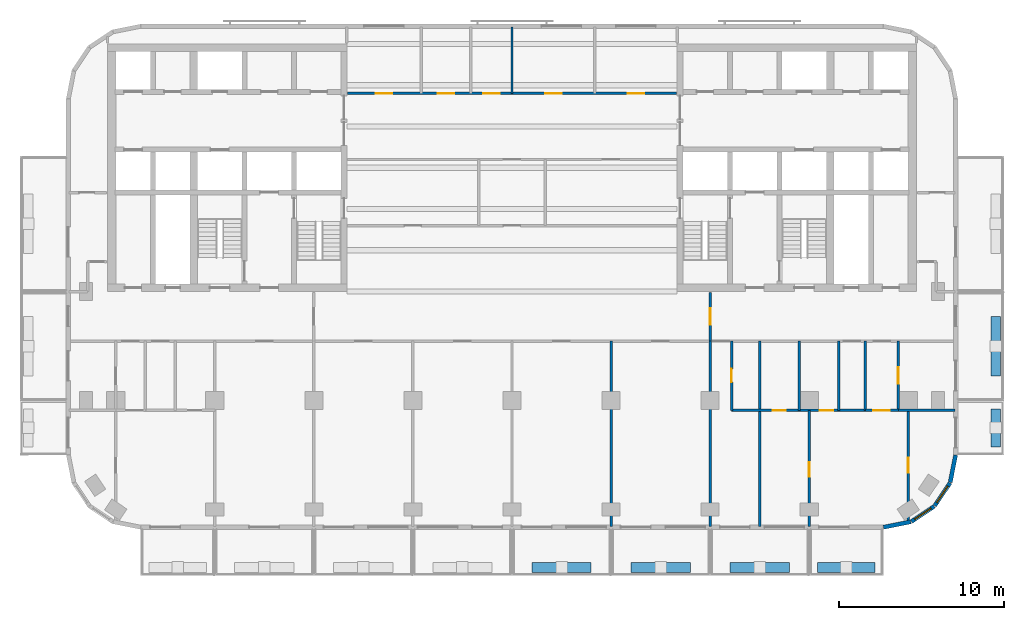
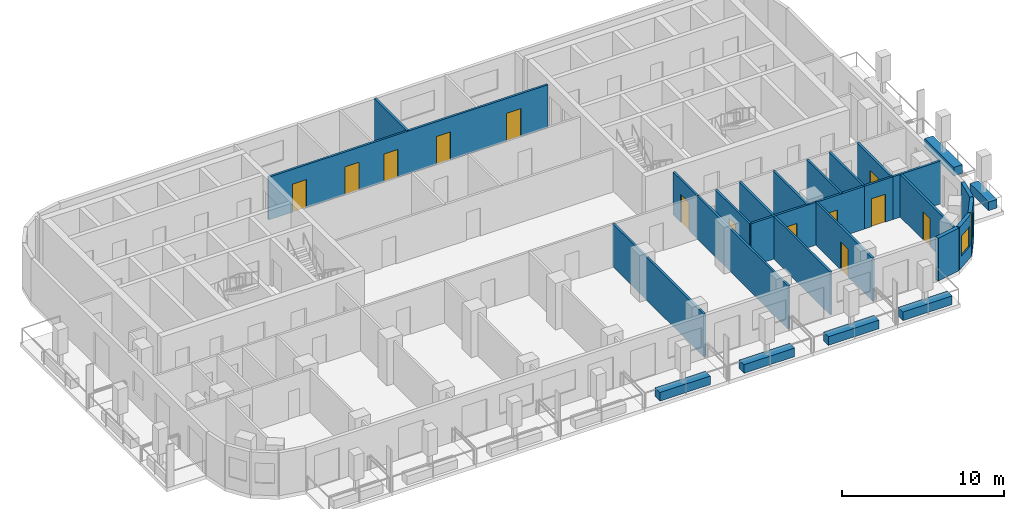
# One storey, part 5 of 11: 26 walls, 13 doors, 2 windows, 15 openings.
"""IFC4 building model written with IfcOpenShell, lengths in metres."""

from ifc_helpers import new_model, si_unit, direction, frame, frame_2d, origin, place, context, subcontext, project, spatial, rectangle, extrude, material, layer, layer_set, type_object, element, fill, save


model = new_model("IFC4")

# Units and contexts
model_context = context("Model", 3, precision=1e-05, world=origin(), true_north=direction((0.0, 1.0)))
body_context = subcontext(model_context, "Body", "Model", "MODEL_VIEW")
ifc_project = project(units=[si_unit("LENGTHUNIT", "METRE"), si_unit("AREAUNIT", "SQUARE_METRE"), si_unit("VOLUMEUNIT", "CUBIC_METRE"), si_unit("PLANEANGLEUNIT", "RADIAN"), si_unit("MASSUNIT", "GRAM", prefix="KILO")], contexts=[model_context])

# Site, building, storey
site_placement = place(None, origin())
site = spatial("IfcSite", under=ifc_project, at=site_placement, CompositionType="ELEMENT")
building_placement = place(site_placement, origin())
building = spatial("IfcBuilding", under=site, at=building_placement, Name="Torana Hotel and Residences", CompositionType="ELEMENT")
storey_placement = place(building_placement, frame((0.0, 0.0, 194.10009765625)))
storey = spatial("IfcBuildingStorey", under=building, at=storey_placement, Name="L50", CompositionType="ELEMENT", Elevation=194.10009765625)

# Wall
ifc_material_1 = material(Name="Black aluminium composite panel", Category="aluminium")
ifc_layer_1 = layer(ifc_material_1, 0.00390625, Name="Cladding", Category="cladding")
ifc_material_2 = material(Name="Ventilated air cavity")
ifc_layer_2 = layer(ifc_material_2, 0.0400390625, Name="Ventilated cavity", Category="cavity")
ifc_material_3 = material(Name="Mineral wool insulation")
ifc_layer_3 = layer(ifc_material_3, 0.090087890625, Name="Insulation", Category="insulation")
ifc_material_4 = material(Name="Steel S280GD", Category="steel")
ifc_layer_4 = layer(ifc_material_4, 0.092041015625, Name="Steel stud frame", Category="structure")
ifc_material_5 = material(Name="Fire rated plasterboard")
ifc_layer_5 = layer(ifc_material_5, 0.011962890625, Name="Inner board", Category="finish")
ifc_layer_6 = layer(ifc_material_5, 0.011962890625, Name="Second board", Category="finish")
ifc_layer_set_1 = layer_set([ifc_layer_1, ifc_layer_2, ifc_layer_3, ifc_layer_4, ifc_layer_5, ifc_layer_6], Name="EW1 EXTERNAL WALL BLACK METAL CLAD 250")
wall_type_1 = type_object("IfcWallType", Name="EW1 EXTERNAL WALL BLACK METAL CLAD 250", PredefinedType="SOLIDWALL", material=ifc_layer_set_1)
wall_1_placement = place(storey_placement, frame((22.499755859375, -29.272705078125, 0.0), z_axis=(0.0, 0.0, 1.0), x_axis=(0.980775640221, 0.19513878023, 0.0)))
element("IfcWall", 1, at=wall_1_placement, inside=storey, type_object=wall_type_1, Name="External wall L50 e0.15", PredefinedType="SOLIDWALL", context=body_context, shape_type="SweptSolid", body=[
    extrude(rectangle(XDim=1.681396484375, YDim=0.25, at=frame_2d((0.8408203125, 0.0))), origin(), (0.0, 0.0, 1.0), 3.219970703125),
])

# Wall, opening, window
wall_2_placement = place(storey_placement, frame((24.194091796875, -28.92578125, 0.0), z_axis=(0.0, 0.0, 1.0), x_axis=(0.831482937015, 0.55555029066, 0.0)))
wall_2 = element("IfcWall", 2, at=wall_2_placement, inside=storey, type_object=wall_type_1, Name="External wall L50 e0.16", PredefinedType="SOLIDWALL", context=body_context, shape_type="SweptSolid", body=[
    extrude(rectangle(XDim=1.65625, YDim=0.25, at=frame_2d((0.828125, 0.0))), origin(), (0.0, 0.0, 1.0), 3.219970703125),
])
opening_1_placement = place(wall_2_placement, frame((0.228271484375, 0.0, 0.89990234375)))
opening_1 = element("IfcOpeningElement", 3, at=opening_1_placement, cuts=wall_2, Name="Opening W5", PredefinedType="OPENING", context=body_context, shape_type="SweptSolid", body=[
    extrude(rectangle(XDim=1.199951171875, YDim=1.5, at=frame_2d((0.60009765625, 0.75))), frame((0.0, 0.135009765625, 0.0), z_axis=(0.0, -1.0, 0.0), x_axis=(1.0, 0.0, 0.0)), (0.0, 0.0, 1.0), 0.27001953125),
])
ifc_material_6 = material(Name="Dark glass in black aluminium frame", Category="aluminium")
window_type = type_object("IfcWindowType", Name="W5 CORNER FACET WINDOW 1200x1500", PartitioningType="SINGLE_PANEL", PredefinedType="WINDOW", material=ifc_material_6)
window_1_placement = place(opening_1_placement, origin())
window_1 = element("IfcWindow", 4, at=window_1_placement, inside=storey, type_object=window_type, Name="Window L50 e0.16", OverallHeight=1.5, OverallWidth=1.199951171875, PartitioningType="SINGLE_PANEL", PredefinedType="WINDOW", context=body_context, shape_type="SweptSolid", body=[
    extrude(rectangle(XDim=1.199951171875, YDim=1.5, at=frame_2d((0.60009765625, 0.75))), frame((0.0, 0.030029296875, 0.0), z_axis=(0.0, -1.0, 0.0), x_axis=(1.0, 0.0, 0.0)), (0.0, 0.0, 1.0), 0.06005859375),
])
fill(opening_1, window_1)

wall_3_placement = place(storey_placement, frame((25.605712890625, -27.97119140625, 0.0), z_axis=(0.0, 0.0, 1.0), x_axis=(0.55555029066, 0.831482937015, 0.0)))
wall_3 = element("IfcWall", 5, at=wall_3_placement, inside=storey, type_object=wall_type_1, Name="External wall L50 e0.17", PredefinedType="SOLIDWALL", context=body_context, shape_type="SweptSolid", body=[
    extrude(rectangle(XDim=1.65625, YDim=0.25, at=frame_2d((0.828125, 0.0))), origin(), (0.0, 0.0, 1.0), 3.219970703125),
])
opening_2_placement = place(wall_3_placement, frame((0.228271484375, 0.0, 0.89990234375)))
opening_2 = element("IfcOpeningElement", 6, at=opening_2_placement, cuts=wall_3, Name="Opening W5", PredefinedType="OPENING", context=body_context, shape_type="SweptSolid", body=[
    extrude(rectangle(XDim=1.199951171875, YDim=1.5, at=frame_2d((0.60009765625, 0.75))), frame((0.0, 0.135009765625, 0.0), z_axis=(0.0, -1.0, 0.0), x_axis=(1.0, 0.0, 0.0)), (0.0, 0.0, 1.0), 0.27001953125),
])
window_2_placement = place(opening_2_placement, origin())
window_2 = element("IfcWindow", 7, at=window_2_placement, inside=storey, type_object=window_type, Name="Window L50 e0.17", OverallHeight=1.5, OverallWidth=1.199951171875, PartitioningType="SINGLE_PANEL", PredefinedType="WINDOW", context=body_context, shape_type="SweptSolid", body=[
    extrude(rectangle(XDim=1.199951171875, YDim=1.5, at=frame_2d((0.60009765625, 0.75))), frame((0.0, 0.030029296875, 0.0), z_axis=(0.0, -1.0, 0.0), x_axis=(1.0, 0.0, 0.0)), (0.0, 0.0, 1.0), 0.06005859375),
])
fill(opening_2, window_2)

# Wall
wall_4_placement = place(storey_placement, frame((26.544677734375, -26.548828125, 0.0), z_axis=(0.0, 0.0, 1.0), x_axis=(0.195026884138, 0.980797896849, 0.0)))
element("IfcWall", 8, at=wall_4_placement, inside=storey, type_object=wall_type_1, Name="External wall L50 e0.18", PredefinedType="SOLIDWALL", context=body_context, shape_type="SweptSolid", body=[
    extrude(rectangle(XDim=1.68115234375, YDim=0.25, at=frame_2d((0.840576171875, 0.0))), origin(), (0.0, 0.0, 1.0), 3.219970703125),
])

# Wall, opening, door
ifc_material_7 = material(Name="Gypsum plaster")
ifc_layer_7 = layer(ifc_material_7, 0.014892578125, Name="Plaster", Category="finish")
ifc_material_8 = material(Name="Concrete blockwork", Category="masonry")
ifc_layer_8 = layer(ifc_material_8, 0.1201171875, Name="Blockwork", Category="structure")
ifc_layer_9 = layer(ifc_material_7, 0.014892578125, Name="Plaster", Category="finish")
ifc_layer_set_2 = layer_set([ifc_layer_7, ifc_layer_8, ifc_layer_9], Name="FIRE PARTITION 150 BLOCKWORK")
wall_type_2 = type_object("IfcWallType", Name="FIRE PARTITION 150 BLOCKWORK", PredefinedType="PARTITIONING", material=ifc_layer_set_2)
wall_5_placement = place(storey_placement, frame((23.39990234375, -22.199951171875, 0.0), z_axis=(0.0, 0.0, 1.0), x_axis=(0.0, 1.0, 0.0)))
wall_5 = element("IfcWall", 9, at=wall_5_placement, inside=storey, type_object=wall_type_2, Name="Partition L50", PredefinedType="PARTITIONING", context=body_context, shape_type="SweptSolid", body=[
    extrude(rectangle(XDim=4.199951171875, YDim=0.14990234375, at=frame_2d((2.10009765625, 0.0))), origin(), (0.0, 0.0, 1.0), 3.219970703125),
])
opening_3_placement = place(wall_5_placement, frame((1.6201171875, 0.0, 0.0)))
opening_3 = element("IfcOpeningElement", 10, at=opening_3_placement, cuts=wall_5, Name="Opening L50-57", PredefinedType="OPENING", context=body_context, shape_type="SweptSolid", body=[
    extrude(rectangle(XDim=1.0, YDim=2.10009765625, at=frame_2d((0.5, 1.050048828125))), frame((0.0, 0.0849609375, 0.0), z_axis=(0.0, -1.0, 0.0), x_axis=(1.0, 0.0, 0.0)), (0.0, 0.0, 1.0), 0.169921875),
])
ifc_material_9 = material(Name="Steel S235", Category="steel")
door_type_1 = type_object("IfcDoorType", Name="ENTRY FIRE DOOR D6 1000x2100", OperationType="SINGLE_SWING_LEFT", PredefinedType="DOOR", material=ifc_material_9)
door_1_placement = place(opening_3_placement, frame((0.5, 0.0, 0.0), z_axis=(0.0, 0.0, 1.0), x_axis=(-1.0, 0.0, 0.0)))
door_1 = element("IfcDoor", 11, at=door_1_placement, inside=storey, type_object=door_type_1, Name="Door L50", OperationType="SINGLE_SWING_LEFT", OverallHeight=2.10009765625, OverallWidth=1.0, PredefinedType="DOOR", context=body_context, shape_type="SweptSolid", body=[
    extrude(rectangle(XDim=1.0, YDim=2.10009765625, at=frame_2d((0.0, 1.050048828125))), frame((0.0, -0.02490234375, 0.0), z_axis=(0.0, 1.0, 0.0), x_axis=(-1.0, 0.0, 0.0)), (0.0, 0.0, 1.0), 0.050048828125),
])
fill(opening_3, door_1)

# Wall
wall_6_placement = place(storey_placement, frame((21.39990234375, -22.199951171875, 0.0), z_axis=(0.0, 0.0, 1.0), x_axis=(0.0, 1.0, 0.0)))
element("IfcWall", 12, at=wall_6_placement, inside=storey, type_object=wall_type_2, Name="Partition L50", PredefinedType="PARTITIONING", context=body_context, shape_type="SweptSolid", body=[
    extrude(rectangle(XDim=4.199951171875, YDim=0.14990234375, at=frame_2d((2.10009765625, 0.0))), origin(), (0.0, 0.0, 1.0), 3.219970703125),
])

# Wall, opening, door
wall_7_placement = place(storey_placement, frame((12.0, -18.0, 0.0), z_axis=(0.0, 0.0, 1.0), x_axis=(0.0, 1.0, 0.0)))
wall_7 = element("IfcWall", 13, at=wall_7_placement, inside=storey, type_object=wall_type_2, Name="Partition L50", PredefinedType="PARTITIONING", context=body_context, shape_type="SweptSolid", body=[
    extrude(rectangle(XDim=2.949951171875, YDim=0.14990234375, at=frame_2d((1.47509765625, 0.0))), origin(), (0.0, 0.0, 1.0), 3.219970703125),
])
opening_4_placement = place(wall_7_placement, frame((1.0, 0.0, 0.0)))
opening_4 = element("IfcOpeningElement", 14, at=opening_4_placement, cuts=wall_7, Name="Opening L50-32", PredefinedType="OPENING", context=body_context, shape_type="SweptSolid", body=[
    extrude(rectangle(XDim=1.0, YDim=2.10009765625, at=frame_2d((0.5, 1.050048828125))), frame((0.0, 0.0849609375, 0.0), z_axis=(0.0, -1.0, 0.0), x_axis=(1.0, 0.0, 0.0)), (0.0, 0.0, 1.0), 0.169921875),
])
door_2_placement = place(opening_4_placement, origin())
door_2 = element("IfcDoor", 15, at=door_2_placement, inside=storey, type_object=door_type_1, Name="Door L50", OperationType="SINGLE_SWING_RIGHT", OverallHeight=2.10009765625, OverallWidth=1.0, PredefinedType="DOOR", context=body_context, shape_type="SweptSolid", body=[
    extrude(rectangle(XDim=1.0, YDim=2.10009765625, at=frame_2d((0.5, 1.050048828125))), frame((0.0, 0.02490234375, 0.0), z_axis=(0.0, -1.0, 0.0), x_axis=(1.0, 0.0, 0.0)), (0.0, 0.0, 1.0), 0.050048828125),
])
fill(opening_4, door_2)

wall_8_placement = place(storey_placement, frame((21.39990234375, -22.199951171875, 0.0), z_axis=(0.0, 0.0, 1.0), x_axis=(1.0, 0.0, 0.0)))
wall_8 = element("IfcWall", 16, at=wall_8_placement, inside=storey, type_object=wall_type_2, Name="Partition L50", PredefinedType="PARTITIONING", context=body_context, shape_type="SweptSolid", body=[
    extrude(rectangle(XDim=2.0, YDim=0.14990234375, at=frame_2d((1.0, 0.0))), origin(), (0.0, 0.0, 1.0), 3.219970703125),
])
opening_5_placement = place(wall_8_placement, frame((0.47998046875, 0.0, 0.0)))
opening_5 = element("IfcOpeningElement", 17, at=opening_5_placement, cuts=wall_8, Name="Opening L50-58", PredefinedType="OPENING", context=body_context, shape_type="SweptSolid", body=[
    extrude(rectangle(XDim=1.0, YDim=2.10009765625, at=frame_2d((0.5, 1.050048828125))), frame((0.0, 0.0849609375, 0.0), z_axis=(0.0, -1.0, 0.0), x_axis=(1.0, 0.0, 0.0)), (0.0, 0.0, 1.0), 0.169921875),
])
door_3_placement = place(opening_5_placement, frame((0.5, 0.0, 0.0), z_axis=(0.0, 0.0, 1.0), x_axis=(-1.0, 0.0, 0.0)))
door_3 = element("IfcDoor", 18, at=door_3_placement, inside=storey, type_object=door_type_1, Name="Door L50", OperationType="SINGLE_SWING_RIGHT", OverallHeight=2.10009765625, OverallWidth=1.0, PredefinedType="DOOR", context=body_context, shape_type="SweptSolid", body=[
    extrude(rectangle(XDim=1.0, YDim=2.10009765625, at=frame_2d((0.0, 1.050048828125))), frame((0.0, -0.02490234375, 0.0), z_axis=(0.0, 1.0, 0.0), x_axis=(-1.0, 0.0, 0.0)), (0.0, 0.0, 1.0), 0.050048828125),
])
fill(opening_5, door_3)

# Wall, openings, doors
wall_9_placement = place(storey_placement, frame((-9.949951171875, -3.0, 0.0), z_axis=(0.0, 0.0, 1.0), x_axis=(1.0, 0.0, 0.0)))
wall_9 = element("IfcWall", 19, at=wall_9_placement, inside=storey, type_object=wall_type_2, Name="Partition L50", PredefinedType="PARTITIONING", context=body_context, shape_type="SweptSolid", body=[
    extrude(rectangle(XDim=19.89990234375, YDim=0.14990234375, at=frame_2d((9.949951171875, 0.0))), origin(), (0.0, 0.0, 1.0), 3.219970703125),
])
opening_6_placement = place(wall_9_placement, frame((1.699951171875, 0.0, 0.0)))
opening_6 = element("IfcOpeningElement", 20, at=opening_6_placement, cuts=wall_9, Name="Opening L50-45", PredefinedType="OPENING", context=body_context, shape_type="SweptSolid", body=[
    extrude(rectangle(XDim=1.0, YDim=2.10009765625, at=frame_2d((0.5, 1.050048828125))), frame((0.0, 0.0849609375, 0.0), z_axis=(0.0, -1.0, 0.0), x_axis=(1.0, 0.0, 0.0)), (0.0, 0.0, 1.0), 0.169921875),
])
opening_7_placement = place(wall_9_placement, frame((5.449951171875, 0.0, 0.0)))
opening_7 = element("IfcOpeningElement", 21, at=opening_7_placement, cuts=wall_9, Name="Opening L50-46", PredefinedType="OPENING", context=body_context, shape_type="SweptSolid", body=[
    extrude(rectangle(XDim=1.0, YDim=2.10009765625, at=frame_2d((0.5, 1.050048828125))), frame((0.0, 0.0849609375, 0.0), z_axis=(0.0, -1.0, 0.0), x_axis=(1.0, 0.0, 0.0)), (0.0, 0.0, 1.0), 0.169921875),
])
opening_8_placement = place(wall_9_placement, frame((8.199951171875, 0.0, 0.0)))
opening_8 = element("IfcOpeningElement", 22, at=opening_8_placement, cuts=wall_9, Name="Opening L50-47", PredefinedType="OPENING", context=body_context, shape_type="SweptSolid", body=[
    extrude(rectangle(XDim=1.0, YDim=2.10009765625, at=frame_2d((0.5, 1.050048828125))), frame((0.0, 0.0849609375, 0.0), z_axis=(0.0, -1.0, 0.0), x_axis=(1.0, 0.0, 0.0)), (0.0, 0.0, 1.0), 0.169921875),
])
opening_9_placement = place(wall_9_placement, frame((11.949951171875, 0.0, 0.0)))
opening_9 = element("IfcOpeningElement", 23, at=opening_9_placement, cuts=wall_9, Name="Opening L50-48", PredefinedType="OPENING", context=body_context, shape_type="SweptSolid", body=[
    extrude(rectangle(XDim=1.0, YDim=2.10009765625, at=frame_2d((0.5, 1.050048828125))), frame((0.0, 0.0849609375, 0.0), z_axis=(0.0, -1.0, 0.0), x_axis=(1.0, 0.0, 0.0)), (0.0, 0.0, 1.0), 0.169921875),
])
opening_10_placement = place(wall_9_placement, frame((16.949951171875, 0.0, 0.0)))
opening_10 = element("IfcOpeningElement", 24, at=opening_10_placement, cuts=wall_9, Name="Opening L50-49", PredefinedType="OPENING", context=body_context, shape_type="SweptSolid", body=[
    extrude(rectangle(XDim=1.0, YDim=2.10009765625, at=frame_2d((0.5, 1.050048828125))), frame((0.0, 0.0849609375, 0.0), z_axis=(0.0, -1.0, 0.0), x_axis=(1.0, 0.0, 0.0)), (0.0, 0.0, 1.0), 0.169921875),
])
door_4_placement = place(opening_6_placement, origin())
door_4 = element("IfcDoor", 25, at=door_4_placement, inside=storey, type_object=door_type_1, Name="Door L50", OperationType="SINGLE_SWING_RIGHT", OverallHeight=2.10009765625, OverallWidth=1.0, PredefinedType="DOOR", context=body_context, shape_type="SweptSolid", body=[
    extrude(rectangle(XDim=1.0, YDim=2.10009765625, at=frame_2d((0.5, 1.050048828125))), frame((0.0, 0.02490234375, 0.0), z_axis=(0.0, -1.0, 0.0), x_axis=(1.0, 0.0, 0.0)), (0.0, 0.0, 1.0), 0.050048828125),
])
fill(opening_6, door_4)
door_5_placement = place(opening_7_placement, origin())
door_5 = element("IfcDoor", 26, at=door_5_placement, inside=storey, type_object=door_type_1, Name="Door L50", OperationType="SINGLE_SWING_RIGHT", OverallHeight=2.10009765625, OverallWidth=1.0, PredefinedType="DOOR", context=body_context, shape_type="SweptSolid", body=[
    extrude(rectangle(XDim=1.0, YDim=2.10009765625, at=frame_2d((0.5, 1.050048828125))), frame((0.0, 0.02490234375, 0.0), z_axis=(0.0, -1.0, 0.0), x_axis=(1.0, 0.0, 0.0)), (0.0, 0.0, 1.0), 0.050048828125),
])
fill(opening_7, door_5)
door_6_placement = place(opening_8_placement, origin())
door_6 = element("IfcDoor", 27, at=door_6_placement, inside=storey, type_object=door_type_1, Name="Door L50", OperationType="SINGLE_SWING_RIGHT", OverallHeight=2.10009765625, OverallWidth=1.0, PredefinedType="DOOR", context=body_context, shape_type="SweptSolid", body=[
    extrude(rectangle(XDim=1.0, YDim=2.10009765625, at=frame_2d((0.5, 1.050048828125))), frame((0.0, 0.02490234375, 0.0), z_axis=(0.0, -1.0, 0.0), x_axis=(1.0, 0.0, 0.0)), (0.0, 0.0, 1.0), 0.050048828125),
])
fill(opening_8, door_6)
door_7_placement = place(opening_9_placement, origin())
door_7 = element("IfcDoor", 28, at=door_7_placement, inside=storey, type_object=door_type_1, Name="Door L50", OperationType="SINGLE_SWING_RIGHT", OverallHeight=2.10009765625, OverallWidth=1.0, PredefinedType="DOOR", context=body_context, shape_type="SweptSolid", body=[
    extrude(rectangle(XDim=1.0, YDim=2.10009765625, at=frame_2d((0.5, 1.050048828125))), frame((0.0, 0.02490234375, 0.0), z_axis=(0.0, -1.0, 0.0), x_axis=(1.0, 0.0, 0.0)), (0.0, 0.0, 1.0), 0.050048828125),
])
fill(opening_9, door_7)
door_8_placement = place(opening_10_placement, origin())
door_8 = element("IfcDoor", 29, at=door_8_placement, inside=storey, type_object=door_type_1, Name="Door L50", OperationType="SINGLE_SWING_RIGHT", OverallHeight=2.10009765625, OverallWidth=1.0, PredefinedType="DOOR", context=body_context, shape_type="SweptSolid", body=[
    extrude(rectangle(XDim=1.0, YDim=2.10009765625, at=frame_2d((0.5, 1.050048828125))), frame((0.0, 0.02490234375, 0.0), z_axis=(0.0, -1.0, 0.0), x_axis=(1.0, 0.0, 0.0)), (0.0, 0.0, 1.0), 0.050048828125),
])
fill(opening_10, door_8)

# Wall, opening, door
ifc_material_10 = material(Name="Gypsum plasterboard")
ifc_layer_10 = layer(ifc_material_10, 0.012451171875, Name="Plasterboard", Category="finish")
ifc_layer_11 = layer(ifc_material_10, 0.012451171875, Name="Plasterboard", Category="finish")
ifc_layer_12 = layer(ifc_material_4, 0.10009765625, Name="Steel studs with mineral wool", Category="insulation")
ifc_layer_13 = layer(ifc_material_10, 0.012451171875, Name="Plasterboard", Category="finish")
ifc_layer_14 = layer(ifc_material_10, 0.012451171875, Name="Plasterboard", Category="finish")
ifc_layer_set_3 = layer_set([ifc_layer_10, ifc_layer_11, ifc_layer_12, ifc_layer_13, ifc_layer_14], Name="PARTITION 150 PLASTERBOARD")
wall_type_3 = type_object("IfcWallType", Name="PARTITION 150 PLASTERBOARD", PredefinedType="PARTITIONING", material=ifc_layer_set_3)
wall_10_placement = place(storey_placement, frame((24.0, -28.918212890625, 0.0), z_axis=(0.0, 0.0, 1.0), x_axis=(0.0, 1.0, 0.0)))
wall_10 = element("IfcWall", 30, at=wall_10_placement, inside=storey, type_object=wall_type_3, Name="Partition L50", PredefinedType="PARTITIONING", context=body_context, shape_type="SweptSolid", body=[
    extrude(rectangle(XDim=6.71826171875, YDim=0.14990234375, at=frame_2d((3.359130859375, 0.0))), origin(), (0.0, 0.0, 1.0), 3.219970703125),
])
opening_11_placement = place(wall_10_placement, frame((2.947998046875, 0.0, 0.0)))
opening_11 = element("IfcOpeningElement", 31, at=opening_11_placement, cuts=wall_10, Name="Opening L50-60", PredefinedType="OPENING", context=body_context, shape_type="SweptSolid", body=[
    extrude(rectangle(XDim=0.89990234375, YDim=2.10009765625, at=frame_2d((0.449951171875, 1.050048828125))), frame((0.0, 0.0849609375, 0.0), z_axis=(0.0, -1.0, 0.0), x_axis=(1.0, 0.0, 0.0)), (0.0, 0.0, 1.0), 0.169921875),
])
ifc_material_11 = material(Name="Timber door, oiled ash", Category="wood")
door_type_2 = type_object("IfcDoorType", Name="ROOM DOOR D7 900x2100", OperationType="SINGLE_SWING_LEFT", PredefinedType="DOOR", material=ifc_material_11)
door_9_placement = place(opening_11_placement, origin())
door_9 = element("IfcDoor", 32, at=door_9_placement, inside=storey, type_object=door_type_2, Name="Door L50", OperationType="SINGLE_SWING_RIGHT", OverallHeight=2.10009765625, OverallWidth=0.89990234375, PredefinedType="DOOR", context=body_context, shape_type="SweptSolid", body=[
    extrude(rectangle(XDim=0.89990234375, YDim=2.10009765625, at=frame_2d((0.449951171875, 1.050048828125))), frame((0.0, 0.02490234375, 0.0), z_axis=(0.0, -1.0, 0.0), x_axis=(1.0, 0.0, 0.0)), (0.0, 0.0, 1.0), 0.050048828125),
])
fill(opening_11, door_9)

# Wall
wall_11_placement = place(storey_placement, frame((19.800048828125, -22.199951171875, 0.0), z_axis=(0.0, 0.0, 1.0), x_axis=(0.0, 1.0, 0.0)))
element("IfcWall", 33, at=wall_11_placement, inside=storey, type_object=wall_type_3, Name="Partition L50", PredefinedType="PARTITIONING", context=body_context, shape_type="SweptSolid", body=[
    extrude(rectangle(XDim=4.199951171875, YDim=0.14990234375, at=frame_2d((2.10009765625, 0.0))), origin(), (0.0, 0.0, 1.0), 3.219970703125),
])

# Wall, opening, door
wall_12_placement = place(storey_placement, frame((18.0, -29.219970703125, 0.0), z_axis=(0.0, 0.0, 1.0), x_axis=(0.0, 1.0, 0.0)))
wall_12 = element("IfcWall", 34, at=wall_12_placement, inside=storey, type_object=wall_type_3, Name="Partition L50", PredefinedType="PARTITIONING", context=body_context, shape_type="SweptSolid", body=[
    extrude(rectangle(XDim=7.02001953125, YDim=0.14990234375, at=frame_2d((3.510009765625, 0.0))), origin(), (0.0, 0.0, 1.0), 3.219970703125),
])
opening_12_placement = place(wall_12_placement, frame((2.989990234375, 0.0, 0.0)))
opening_12 = element("IfcOpeningElement", 35, at=opening_12_placement, cuts=wall_12, Name="Opening L50-59", PredefinedType="OPENING", context=body_context, shape_type="SweptSolid", body=[
    extrude(rectangle(XDim=0.89990234375, YDim=2.10009765625, at=frame_2d((0.449951171875, 1.050048828125))), frame((0.0, 0.0849609375, 0.0), z_axis=(0.0, -1.0, 0.0), x_axis=(1.0, 0.0, 0.0)), (0.0, 0.0, 1.0), 0.169921875),
])
door_10_placement = place(opening_12_placement, origin())
door_10 = element("IfcDoor", 36, at=door_10_placement, inside=storey, type_object=door_type_2, Name="Door L50", OperationType="SINGLE_SWING_RIGHT", OverallHeight=2.10009765625, OverallWidth=0.89990234375, PredefinedType="DOOR", context=body_context, shape_type="SweptSolid", body=[
    extrude(rectangle(XDim=0.89990234375, YDim=2.10009765625, at=frame_2d((0.449951171875, 1.050048828125))), frame((0.0, 0.02490234375, 0.0), z_axis=(0.0, -1.0, 0.0), x_axis=(1.0, 0.0, 0.0)), (0.0, 0.0, 1.0), 0.050048828125),
])
fill(opening_12, door_10)

# Walls
wall_13_placement = place(storey_placement, frame((17.39990234375, -22.199951171875, 0.0), z_axis=(0.0, 0.0, 1.0), x_axis=(0.0, 1.0, 0.0)))
element("IfcWall", 37, at=wall_13_placement, inside=storey, type_object=wall_type_3, Name="Partition L50", PredefinedType="PARTITIONING", context=body_context, shape_type="SweptSolid", body=[
    extrude(rectangle(XDim=4.199951171875, YDim=0.14990234375, at=frame_2d((2.10009765625, 0.0))), origin(), (0.0, 0.0, 1.0), 3.219970703125),
])
wall_14_placement = place(storey_placement, frame((15.0, -29.219970703125, 0.0), z_axis=(0.0, 0.0, 1.0), x_axis=(0.0, 1.0, 0.0)))
element("IfcWall", 38, at=wall_14_placement, inside=storey, type_object=wall_type_3, Name="Partition L50", PredefinedType="PARTITIONING", context=body_context, shape_type="SweptSolid", body=[
    extrude(rectangle(XDim=11.219970703125, YDim=0.14990234375, at=frame_2d((5.60986328125, 0.0))), origin(), (0.0, 0.0, 1.0), 3.219970703125),
])

# Wall, opening, door
wall_15_placement = place(storey_placement, frame((13.300048828125, -22.199951171875, 0.0), z_axis=(0.0, 0.0, 1.0), x_axis=(0.0, 1.0, 0.0)))
wall_15 = element("IfcWall", 39, at=wall_15_placement, inside=storey, type_object=wall_type_3, Name="Partition L50", PredefinedType="PARTITIONING", context=body_context, shape_type="SweptSolid", body=[
    extrude(rectangle(XDim=4.199951171875, YDim=0.14990234375, at=frame_2d((2.10009765625, 0.0))), origin(), (0.0, 0.0, 1.0), 3.219970703125),
])
opening_13_placement = place(wall_15_placement, frame((1.719970703125, 0.0, 0.0)))
opening_13 = element("IfcOpeningElement", 40, at=opening_13_placement, cuts=wall_15, Name="Opening L50-50", PredefinedType="OPENING", context=body_context, shape_type="SweptSolid", body=[
    extrude(rectangle(XDim=0.800048828125, YDim=2.10009765625, at=frame_2d((0.39990234375, 1.050048828125))), frame((0.0, 0.0849609375, 0.0), z_axis=(0.0, -1.0, 0.0), x_axis=(1.0, 0.0, 0.0)), (0.0, 0.0, 1.0), 0.169921875),
])
ifc_material_12 = material(Name="Timber door, painted", Category="wood")
door_type_3 = type_object("IfcDoorType", Name="BATH DOOR D13 800x2100", OperationType="SINGLE_SWING_LEFT", PredefinedType="DOOR", material=ifc_material_12)
door_11_placement = place(opening_13_placement, origin())
door_11 = element("IfcDoor", 41, at=door_11_placement, inside=storey, type_object=door_type_3, Name="Door L50", OperationType="SINGLE_SWING_RIGHT", OverallHeight=2.10009765625, OverallWidth=0.800048828125, PredefinedType="DOOR", context=body_context, shape_type="SweptSolid", body=[
    extrude(rectangle(XDim=0.800048828125, YDim=2.10009765625, at=frame_2d((0.39990234375, 1.050048828125))), frame((0.0, 0.02490234375, 0.0), z_axis=(0.0, -1.0, 0.0), x_axis=(1.0, 0.0, 0.0)), (0.0, 0.0, 1.0), 0.050048828125),
])
fill(opening_13, door_11)

# Walls
for number, where, z_axis, x_axis, name in (
    (42, (12.0, -29.219970703125, 0.0), (0.0, 0.0, 1.0), (0.0, 1.0, 0.0), "Partition L50"),
    (43, (6.0, -29.219970703125, 0.0), (0.0, 0.0, 1.0), (0.0, 1.0, 0.0), "Partition L50"),
):
    element("IfcWall", number, at=place(storey_placement, frame(where, z_axis=z_axis, x_axis=x_axis)), inside=storey, type_object=wall_type_3, Name=name, PredefinedType="PARTITIONING", context=body_context, shape_type="SweptSolid", body=[
        extrude(rectangle(XDim=11.219970703125, YDim=0.14990234375, at=frame_2d((5.60986328125, 0.0))), origin(), (0.0, 0.0, 1.0), 3.219970703125),
    ])

# Wall, openings, doors
wall_16_placement = place(storey_placement, frame((13.300048828125, -22.199951171875, 0.0), z_axis=(0.0, 0.0, 1.0), x_axis=(1.0, 0.0, 0.0)))
wall_16 = element("IfcWall", 44, at=wall_16_placement, inside=storey, type_object=wall_type_3, Name="Partition L50", PredefinedType="PARTITIONING", context=body_context, shape_type="SweptSolid", body=[
    extrude(rectangle(XDim=8.099853515625, YDim=0.14990234375, at=frame_2d((4.0498046875, 0.0))), origin(), (0.0, 0.0, 1.0), 3.219970703125),
])
opening_14_placement = place(wall_16_placement, frame((2.47998046875, 0.0, 0.0)))
opening_14 = element("IfcOpeningElement", 45, at=opening_14_placement, cuts=wall_16, Name="Opening L50-55", PredefinedType="OPENING", context=body_context, shape_type="SweptSolid", body=[
    extrude(rectangle(XDim=0.800048828125, YDim=2.10009765625, at=frame_2d((0.39990234375, 1.050048828125))), frame((0.0, 0.0849609375, 0.0), z_axis=(0.0, -1.0, 0.0), x_axis=(1.0, 0.0, 0.0)), (0.0, 0.0, 1.0), 0.169921875),
])
opening_15_placement = place(wall_16_placement, frame((5.35009765625, 0.0, 0.0)))
opening_15 = element("IfcOpeningElement", 46, at=opening_15_placement, cuts=wall_16, Name="Opening L50-56", PredefinedType="OPENING", context=body_context, shape_type="SweptSolid", body=[
    extrude(rectangle(XDim=0.800048828125, YDim=2.10009765625, at=frame_2d((0.39990234375, 1.050048828125))), frame((0.0, 0.0849609375, 0.0), z_axis=(0.0, -1.0, 0.0), x_axis=(1.0, 0.0, 0.0)), (0.0, 0.0, 1.0), 0.169921875),
])
door_12_placement = place(opening_14_placement, origin())
door_12 = element("IfcDoor", 47, at=door_12_placement, inside=storey, type_object=door_type_3, Name="Door L50", OperationType="SINGLE_SWING_RIGHT", OverallHeight=2.10009765625, OverallWidth=0.800048828125, PredefinedType="DOOR", context=body_context, shape_type="SweptSolid", body=[
    extrude(rectangle(XDim=0.800048828125, YDim=2.10009765625, at=frame_2d((0.39990234375, 1.050048828125))), frame((0.0, 0.02490234375, 0.0), z_axis=(0.0, -1.0, 0.0), x_axis=(1.0, 0.0, 0.0)), (0.0, 0.0, 1.0), 0.050048828125),
])
fill(opening_14, door_12)
door_13_placement = place(opening_15_placement, origin())
door_13 = element("IfcDoor", 48, at=door_13_placement, inside=storey, type_object=door_type_3, Name="Door L50", OperationType="SINGLE_SWING_RIGHT", OverallHeight=2.10009765625, OverallWidth=0.800048828125, PredefinedType="DOOR", context=body_context, shape_type="SweptSolid", body=[
    extrude(rectangle(XDim=0.800048828125, YDim=2.10009765625, at=frame_2d((0.39990234375, 1.050048828125))), frame((0.0, 0.02490234375, 0.0), z_axis=(0.0, -1.0, 0.0), x_axis=(1.0, 0.0, 0.0)), (0.0, 0.0, 1.0), 0.050048828125),
])
fill(opening_15, door_13)

# Walls
wall_17_placement = place(storey_placement, frame((23.39990234375, -22.199951171875, 0.0), z_axis=(0.0, 0.0, 1.0), x_axis=(1.0, 0.0, 0.0)))
element("IfcWall", 49, at=wall_17_placement, inside=storey, type_object=wall_type_3, Name="Partition L50", PredefinedType="PARTITIONING", context=body_context, shape_type="SweptSolid", body=[
    extrude(rectangle(XDim=3.420166015625, YDim=0.14990234375, at=frame_2d((1.7099609375, 0.0))), origin(), (0.0, 0.0, 1.0), 3.219970703125),
])
ifc_material_13 = material(Name="Concrete C40/50 precast", Category="concrete")
ifc_layer_15 = layer(ifc_material_13, 0.10009765625, Name="Planter shell", Category="structure")
ifc_material_14 = material(Name="Root resistant membrane")
ifc_layer_16 = layer(ifc_material_14, 0.00390625, Name="Waterproofing membrane", Category="membrane")
ifc_material_15 = material(Name="Drainage board with filter fleece")
ifc_layer_17 = layer(ifc_material_15, 0.02001953125, Name="Drainage board", Category="drainage")
ifc_material_16 = material(Name="Growing medium")
ifc_layer_18 = layer(ifc_material_16, 0.47607421875, Name="Planting substrate", Category="soil")
ifc_layer_set_4 = layer_set([ifc_layer_15, ifc_layer_16, ifc_layer_17, ifc_layer_18], Name="PL1 BALCONY PLANTER 600")
wall_type_4 = type_object("IfcWallType", Name="PL1 BALCONY PLANTER 600", PredefinedType="USERDEFINED", material=ifc_layer_set_4)
for number, where, z_axis, x_axis, name in (
    (50, (4.800048828125, -31.699951171875, 0.0), (0.0, 0.0, 1.0), (-1.0, 0.0, 0.0), "Planter 05"),
    (51, (10.800048828125, -31.699951171875, 0.0), (0.0, 0.0, 1.0), (-1.0, 0.0, 0.0), "Planter 06"),
    (52, (16.800048828125, -31.699951171875, 0.0), (0.0, 0.0, 1.0), (-1.0, 0.0, 0.0), "Planter 07"),
):
    element("IfcWall", number, at=place(storey_placement, frame(where, z_axis=z_axis, x_axis=x_axis)), inside=storey, type_object=wall_type_4, Name=name, ObjectType="PLANTER", PredefinedType="USERDEFINED", context=body_context, shape_type="SweptSolid", body=[
        extrude(rectangle(XDim=3.60009765625, YDim=0.60009765625, at=frame_2d((1.800048828125, 0.0))), origin(), (0.0, 0.0, 1.0), 0.64990234375),
    ])
wall_18_placement = place(storey_placement, frame((22.0, -31.699951171875, 0.0), z_axis=(0.0, 0.0, 1.0), x_axis=(-1.0, 0.0, 0.0)))
element("IfcWall", 53, at=wall_18_placement, inside=storey, type_object=wall_type_4, Name="Planter 08", ObjectType="PLANTER", PredefinedType="USERDEFINED", context=body_context, shape_type="SweptSolid", body=[
    extrude(rectangle(XDim=3.5, YDim=0.60009765625, at=frame_2d((1.75, 0.0))), origin(), (0.0, 0.0, 1.0), 0.64990234375),
])
wall_19_placement = place(storey_placement, frame((29.300048828125, -22.10009765625, 0.0), z_axis=(0.0, 0.0, 1.0), x_axis=(0.0, -1.0, 0.0)))
element("IfcWall", 54, at=wall_19_placement, inside=storey, type_object=wall_type_4, Name="Planter 12", ObjectType="PLANTER", PredefinedType="USERDEFINED", context=body_context, shape_type="SweptSolid", body=[
    extrude(rectangle(XDim=2.2998046875, YDim=0.60009765625, at=frame_2d((1.14990234375, 0.0))), origin(), (0.0, 0.0, 1.0), 0.64990234375),
])
wall_20_placement = place(storey_placement, frame((29.300048828125, -16.5, 0.0), z_axis=(0.0, 0.0, 1.0), x_axis=(0.0, -1.0, 0.0)))
element("IfcWall", 55, at=wall_20_placement, inside=storey, type_object=wall_type_4, Name="Planter 13", ObjectType="PLANTER", PredefinedType="USERDEFINED", context=body_context, shape_type="SweptSolid", body=[
    extrude(rectangle(XDim=3.60009765625, YDim=0.60009765625, at=frame_2d((1.800048828125, 0.0))), origin(), (0.0, 0.0, 1.0), 0.64990234375),
])
ifc_material_17 = material(Name="Ceramic tile on adhesive")
ifc_layer_19 = layer(ifc_material_17, 0.010009765625, Name="Wall tile", Category="finish")
ifc_material_18 = material(Name="Cement render")
ifc_layer_20 = layer(ifc_material_18, 0.010009765625, Name="Render", Category="finish")
ifc_layer_21 = layer(ifc_material_8, 0.110107421875, Name="Blockwork", Category="structure")
ifc_layer_22 = layer(ifc_material_18, 0.010009765625, Name="Render", Category="finish")
ifc_layer_23 = layer(ifc_material_17, 0.010009765625, Name="Wall tile", Category="finish")
ifc_layer_set_5 = layer_set([ifc_layer_19, ifc_layer_20, ifc_layer_21, ifc_layer_22, ifc_layer_23], Name="WC PARTITION 150")
wall_type_5 = type_object("IfcWallType", Name="WC PARTITION 150", PredefinedType="PLUMBINGWALL", material=ifc_layer_set_5)
wall_21_placement = place(storey_placement, frame((0.0, -3.0, 0.0), z_axis=(0.0, 0.0, 1.0), x_axis=(0.0, 1.0, 0.0)))
element("IfcWall", 56, at=wall_21_placement, inside=storey, type_object=wall_type_5, Name="Partition L50", PredefinedType="PLUMBINGWALL", context=body_context, shape_type="SweptSolid", body=[
    extrude(rectangle(XDim=4.02001953125, YDim=0.14990234375, at=frame_2d((2.010009765625, 0.0))), origin(), (0.0, 0.0, 1.0), 3.219970703125),
])

save(model, "model.ifc")
